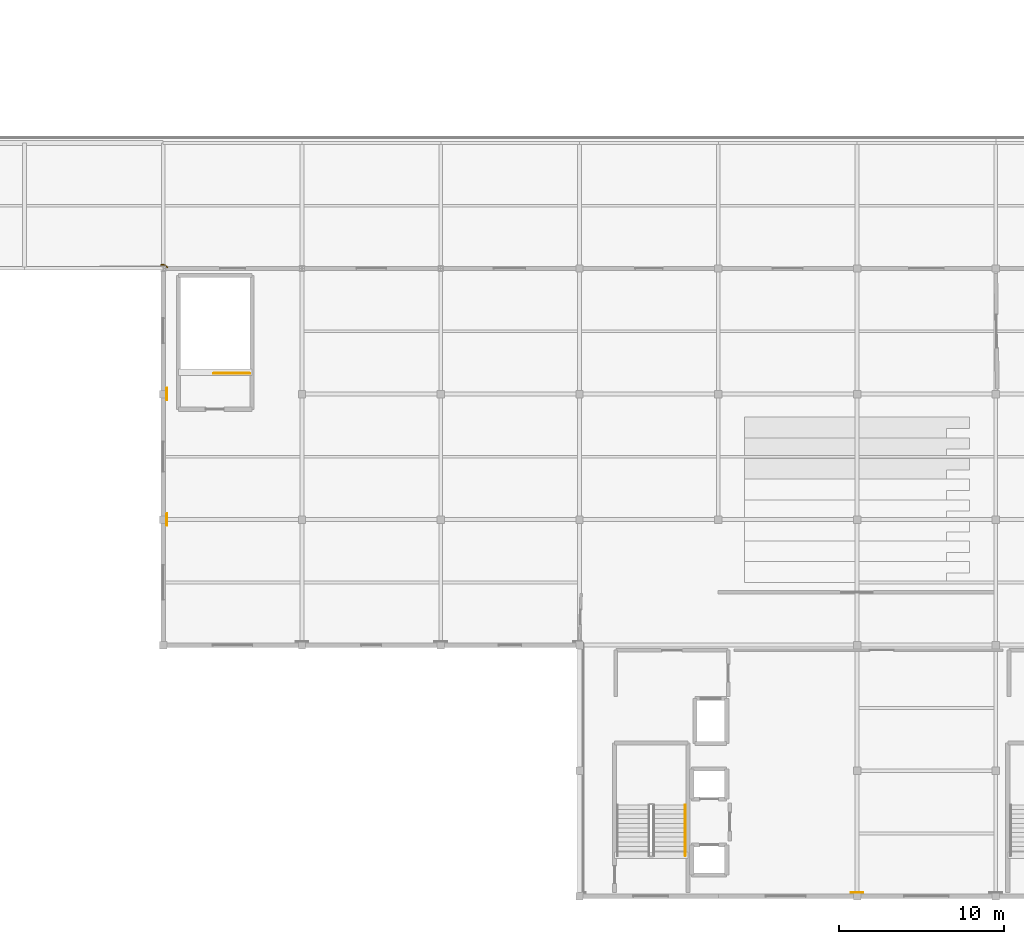
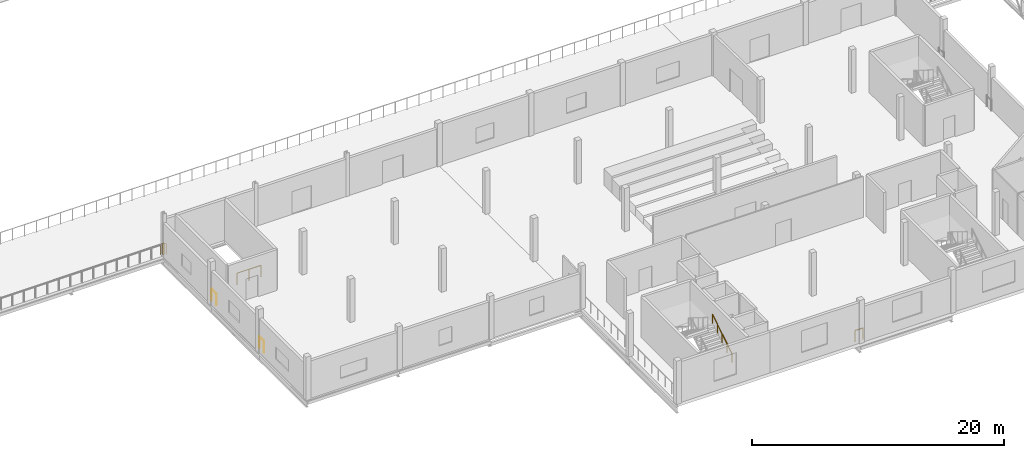
# One storey, part 55 of 57: 6 railings.
"""IFC4 building model written with IfcOpenShell, lengths in metres."""

from ifc_helpers import new_model, si_unit, direction, frame, origin, origin_2d, place, context, subcontext, project, spatial, circle, extrude, material, type_object, element, save


model = new_model("IFC4")

# Units and contexts
model_context = context("Model", 3, precision=1e-05, world=origin(), true_north=direction((0.0, 1.0)))
body_context = subcontext(model_context, "Body", "Model", "MODEL_VIEW")
ifc_project = project(units=[si_unit("LENGTHUNIT", "METRE"), si_unit("AREAUNIT", "SQUARE_METRE"), si_unit("VOLUMEUNIT", "CUBIC_METRE"), si_unit("PLANEANGLEUNIT", "RADIAN"), si_unit("MASSUNIT", "GRAM", prefix="KILO")], contexts=[model_context])

# Site, building, storey
site_placement = place(None, origin())
site = spatial("IfcSite", under=ifc_project, at=site_placement, CompositionType="ELEMENT")
building_placement = place(site_placement, origin())
building = spatial("IfcBuilding", under=site, at=building_placement, Name="Zuvorla Pavilion Media Centre", CompositionType="ELEMENT")
storey_placement = place(building_placement, frame((0.0, 0.0, 18.0)))
storey = spatial("IfcBuildingStorey", under=building, at=storey_placement, Name="L04", CompositionType="ELEMENT", Elevation=18.0)

# Railings
ifc_material_1 = material(Name="Powder-coated steel balustrade guard", Category="steel")
railing_type_1 = type_object("IfcRailingType", Name="RL-INT-GRD", PredefinedType="BALUSTRADE", material=ifc_material_1)
railing_1_placement = place(storey_placement, frame((46.85009765625, 37.64990234375, 0.0)))
element("IfcRailing", 1, at=railing_1_placement, inside=storey, type_object=railing_type_1, Name="L04 ST-03 top well guard 1", PredefinedType="BALUSTRADE", context=body_context, shape_type="SweptSolid", body=[
    extrude(circle(Radius=0.02392578125, at=origin_2d()), frame((-0.02880859375, 0.0, 1.09619140625), z_axis=(-1.0, 0.0, 0.0), x_axis=(0.0, -1.0, 0.0)), (0.0, 0.0, 1.0), 2.142578125),
    extrude(circle(Radius=0.02099609375, at=origin_2d()), origin(), (0.0, 0.0, 1.0), 1.070068359375),
    extrude(circle(Radius=0.02099609375, at=origin_2d()), frame((-1.10009765625, 0.0, 0.0)), (0.0, 0.0, 1.0), 1.070068359375),
    extrude(circle(Radius=0.02099609375, at=origin_2d()), frame((-2.2001953125, 0.0, 0.0)), (0.0, 0.0, 1.0), 1.070068359375),
])
for number, where, name in (
    (2, (41.820068359375, 28.43505859375, 0.0), "L04 slab edge guard 115"),
    (3, (41.820068359375, 36.034912109375, 0.0), "L04 slab edge guard 116"),
):
    element("IfcRailing", number, at=place(storey_placement, frame(where)), inside=storey, type_object=railing_type_1, Name=name, PredefinedType="BALUSTRADE", context=body_context, shape_type="SweptSolid", body=[
        extrude(circle(Radius=0.02392578125, at=origin_2d()), frame((0.0, 0.02880859375, 1.09619140625), z_axis=(0.0, 1.0, 0.0), x_axis=(-1.0, 0.0, 0.0)), (0.0, 0.0, 1.0), 0.67236328125),
        extrude(circle(Radius=0.02099609375, at=origin_2d()), origin(), (0.0, 0.0, 1.0), 1.070068359375),
        extrude(circle(Radius=0.02099609375, at=origin_2d()), frame((0.0, 0.72998046875, 0.0)), (0.0, 0.0, 1.0), 1.070068359375),
    ])
railing_2_placement = place(storey_placement, frame((41.8583984375, 44.0625, 0.0)))
element("IfcRailing", 4, at=railing_2_placement, inside=storey, type_object=railing_type_1, Name="L04 slab edge guard 117", PredefinedType="BALUSTRADE", context=body_context, shape_type="SweptSolid", body=[
    extrude(circle(Radius=0.02392578125, at=origin_2d()), frame((-0.017822265625, 0.01611328125, 1.09619140625), z_axis=(-0.74124723879, 0.671232099192, 0.0), x_axis=(-0.671232099192, -0.74124723879, 0.0)), (0.0, 0.0, 1.0), 0.1123046875),
    extrude(circle(Radius=0.02392578125, at=origin_2d()), frame((-0.12158203125, 0.109619140625, 1.09619140625), z_axis=(-0.806766093747, 0.590870941899, 0.0), x_axis=(-0.590870941899, -0.806766093747, 0.0)), (0.0, 0.0, 1.0), 0.02001953125),
    extrude(circle(Radius=0.02392578125, at=origin_2d()), frame((-0.138916015625, 0.1220703125, 1.09619140625), z_axis=(-0.855500079018, 0.517802679406, 0.0), x_axis=(-0.517802679406, -0.855500079018, 0.0)), (0.0, 0.0, 1.0), 0.02001953125),
    extrude(circle(Radius=0.02392578125, at=origin_2d()), frame((-0.15771484375, 0.133056640625, 1.09619140625), z_axis=(-0.903277504354, 0.429056814568, 0.0), x_axis=(-0.429056814568, -0.903277504354, 0.0)), (0.0, 0.0, 1.0), 0.02001953125),
    extrude(circle(Radius=0.02392578125, at=origin_2d()), frame((-0.17724609375, 0.141845703125, 1.09619140625), z_axis=(-0.94403554212, 0.329843743632, 0.0), x_axis=(-0.329843743632, -0.94403554212, 0.0)), (0.0, 0.0, 1.0), 0.02001953125),
    extrude(circle(Radius=0.02392578125, at=origin_2d()), frame((-0.19775390625, 0.148681640625, 1.09619140625), z_axis=(-0.968802704478, 0.247833249983, 0.0), x_axis=(-0.247833249983, -0.968802704478, 0.0)), (0.0, 0.0, 1.0), 0.02001953125),
    extrude(circle(Radius=0.02392578125, at=origin_2d()), frame((-0.21875, 0.15380859375, 1.09619140625), z_axis=(-0.989019580795, 0.147784535061, 0.0), x_axis=(-0.147784535061, -0.989019580795, 0.0)), (0.0, 0.0, 1.0), 0.02001953125),
    extrude(circle(Radius=0.02392578125, at=origin_2d()), frame((-0.239990234375, 0.15673828125, 1.09619140625), z_axis=(-0.99896854021, 0.045407660919, 0.0), x_axis=(-0.045407660919, -0.99896854021, 0.0)), (0.0, 0.0, 1.0), 0.02001953125),
    extrude(circle(Radius=0.02392578125, at=origin_2d()), frame((-0.279296875, 0.157470703125, 1.09619140625), z_axis=(-1.0, 0.0, 0.0), x_axis=(0.0, -1.0, 0.0)), (0.0, 0.0, 1.0), 0.098388671875),
    extrude(circle(Radius=0.02099609375, at=origin_2d()), origin(), (0.0, 0.0, 1.0), 1.070068359375),
    extrude(circle(Radius=0.02099609375, at=origin_2d()), frame((-0.118896484375, 0.107666015625, 0.0)), (0.0, 0.0, 1.0), 1.070068359375),
    extrude(circle(Radius=0.02099609375, at=origin_2d()), frame((-0.13623046875, 0.120361328125, 0.0)), (0.0, 0.0, 1.0), 1.070068359375),
    extrude(circle(Radius=0.02099609375, at=origin_2d()), frame((-0.15478515625, 0.131591796875, 0.0)), (0.0, 0.0, 1.0), 1.070068359375),
    extrude(circle(Radius=0.02099609375, at=origin_2d()), frame((-0.17431640625, 0.140869140625, 0.0)), (0.0, 0.0, 1.0), 1.070068359375),
    extrude(circle(Radius=0.02099609375, at=origin_2d()), frame((-0.194580078125, 0.14794921875, 0.0)), (0.0, 0.0, 1.0), 1.070068359375),
    extrude(circle(Radius=0.02099609375, at=origin_2d()), frame((-0.215576171875, 0.1533203125, 0.0)), (0.0, 0.0, 1.0), 1.070068359375),
    extrude(circle(Radius=0.02099609375, at=origin_2d()), frame((-0.23681640625, 0.156494140625, 0.0)), (0.0, 0.0, 1.0), 1.070068359375),
    extrude(circle(Radius=0.02099609375, at=origin_2d()), frame((-0.25830078125, 0.157470703125, 0.0)), (0.0, 0.0, 1.0), 1.070068359375),
    extrude(circle(Radius=0.02099609375, at=origin_2d()), frame((-0.39892578125, 0.157470703125, 0.0)), (0.0, 0.0, 1.0), 1.070068359375),
])
railing_3_placement = place(storey_placement, frame((83.965087890625, 6.219970703125, 0.0)))
element("IfcRailing", 5, at=railing_3_placement, inside=storey, type_object=railing_type_1, Name="L04 slab edge guard 125", PredefinedType="BALUSTRADE", context=body_context, shape_type="SweptSolid", body=[
    extrude(circle(Radius=0.02392578125, at=origin_2d()), frame((-0.02880859375, 0.0, 1.09619140625), z_axis=(-1.0, 0.0, 0.0), x_axis=(0.0, -1.0, 0.0)), (0.0, 0.0, 1.0), 0.67236328125),
    extrude(circle(Radius=0.02099609375, at=origin_2d()), origin(), (0.0, 0.0, 1.0), 1.070068359375),
    extrude(circle(Radius=0.02099609375, at=origin_2d()), frame((-0.72998046875, 0.0, 0.0)), (0.0, 0.0, 1.0), 1.070068359375),
])
ifc_material_2 = material(Name="Brushed stainless steel tubular handrail", Category="steel")
railing_type_2 = type_object("IfcRailingType", Name="RL-INT-HND", PredefinedType="HANDRAIL", material=ifc_material_2)
railing_4_placement = place(storey_placement, frame((73.199951171875, 8.449951171875, 0.175048828125)))
element("IfcRailing", 6, at=railing_4_placement, inside=storey, type_object=railing_type_2, Name="L04 ST-01 handrail 1", PredefinedType="HANDRAIL", context=body_context, shape_type="SweptSolid", body=[
    extrude(circle(Radius=0.02392578125, at=origin_2d()), frame((0.0, 0.0244140625, 0.89111328125), z_axis=(0.0, 0.847998304005, 0.529998940003), x_axis=(-1.0, 0.0, 0.0)), (0.0, 0.0, 1.0), 3.574462890625),
    extrude(circle(Radius=0.02099609375, at=origin_2d()), origin(), (0.0, 0.0, 1.0), 0.849853515625),
    extrude(circle(Radius=0.02099609375, at=origin_2d()), frame((0.0, 0.77001953125, 0.481201171875)), (0.0, 0.0, 1.0), 0.849853515625),
    extrude(circle(Radius=0.02099609375, at=origin_2d()), frame((0.0, 1.5400390625, 0.96240234375)), (0.0, 0.0, 1.0), 0.849853515625),
    extrude(circle(Radius=0.02099609375, at=origin_2d()), frame((0.0, 2.31005859375, 1.44384765625)), (0.0, 0.0, 1.0), 0.849853515625),
    extrude(circle(Radius=0.02099609375, at=origin_2d()), frame((0.0, 3.080078125, 1.925048828125)), (0.0, 0.0, 1.0), 0.849853515625),
])

save(model, "model.ifc")
